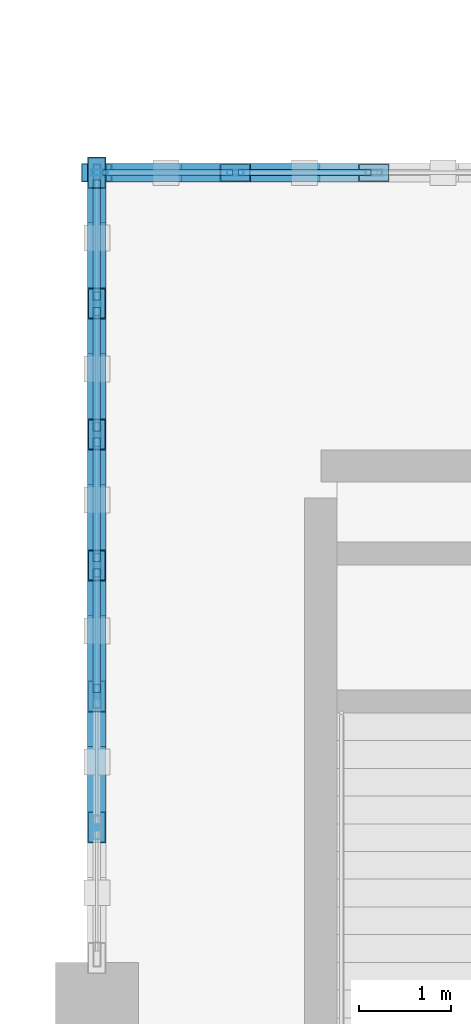
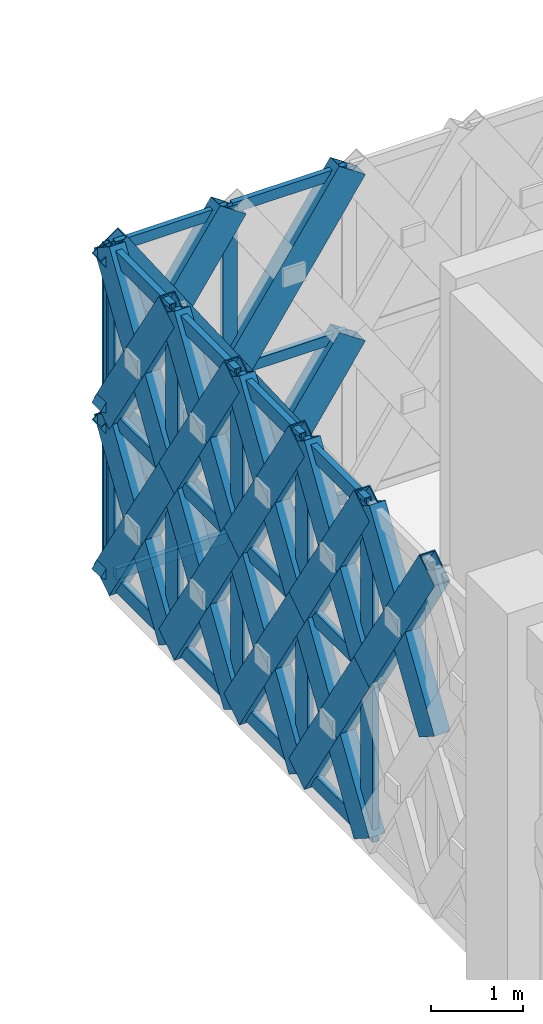
# One storey, part 71 of 166: 61 members, 2 elements without a shape of their own.
"""IFC4 building model written with IfcOpenShell, lengths in metres."""

from ifc_helpers import new_model, si_unit, direction, frame, origin, origin_2d, place, context, subcontext, project, spatial, hollow_rectangle, extrude, material, material_profile, profile_set, type_object, element, aggregate, save


model = new_model("IFC4")

# Units and contexts
model_context = context("Model", 3, precision=1e-05, world=origin(), true_north=direction((0.0, 1.0)))
body_context = subcontext(model_context, "Body", "Model", "MODEL_VIEW")
ifc_project = project(units=[si_unit("LENGTHUNIT", "METRE"), si_unit("AREAUNIT", "SQUARE_METRE"), si_unit("VOLUMEUNIT", "CUBIC_METRE"), si_unit("PLANEANGLEUNIT", "RADIAN"), si_unit("MASSUNIT", "GRAM", prefix="KILO")], contexts=[model_context])

# Site, building, storey
site_placement = place(None, origin())
site = spatial("IfcSite", under=ifc_project, at=site_placement, CompositionType="ELEMENT")
building_placement = place(site_placement, origin())
building = spatial("IfcBuilding", under=site, at=building_placement, Name="Haizhuo Lancet Aquarium", CompositionType="ELEMENT")
storey_placement = place(building_placement, frame((0.0, 0.0, 5.39990234375)))
storey = spatial("IfcBuildingStorey", under=building, at=storey_placement, Name="L01", CompositionType="ELEMENT", Elevation=5.39990234375)

# Curtain wall, members
ifc_material_1 = material(Name="Aluminium 6063-T6", Category="aluminium")
curtain_wall_type_1 = type_object("IfcCurtainWallType", Name="CWD-9000x4420", PredefinedType="NOTDEFINED", material=ifc_material_1)
curtain_wall_1_placement = place(storey_placement, origin())
curtain_wall_1 = element("IfcCurtainWall", 1, at=curtain_wall_1_placement, inside=storey, type_object=curtain_wall_type_1, Name="L01 curtain wall CW-V5-L01-130", PredefinedType="NOTDEFINED")
ifc_material_profile_1 = material_profile(ifc_material_1, hollow_rectangle(XDim=0.06494140625, YDim=0.179931640625, WallThickness=0.00390625, at=origin_2d()), Name="ALU-M 65x180x4")
ifc_profile_set_1 = profile_set([ifc_material_profile_1], Name="Aluminium 6063-T6")
member_type_1 = type_object("IfcMemberType", Name="CW-MUL-1", PredefinedType="MULLION", material=ifc_profile_set_1)
member_1_placement = place(storey_placement, frame((-26.968017578125, 54.0, 0.0), z_axis=(0.0, 0.0, 1.0), x_axis=(0.0, 1.0, 0.0)))
member_1 = element("IfcMember", 2, at=member_1_placement, type_object=member_type_1, Name="CWD-90x44 mullion 1", PredefinedType="MULLION", context=body_context, shape_type="SweptSolid", body=[
    extrude(hollow_rectangle(XDim=0.06494140625, YDim=0.179931640625, WallThickness=0.00390625, at=origin_2d()), origin(), (0.0, 0.0, 1.0), 4.425048828125),
])
member_2_placement = place(storey_placement, frame((-25.5, 54.0, 0.0), z_axis=(0.0, 0.0, 1.0), x_axis=(0.0, 1.0, 0.0)))
member_2 = element("IfcMember", 3, at=member_2_placement, type_object=member_type_1, Name="CWD-90x44 mullion 2", PredefinedType="MULLION", context=body_context, shape_type="SweptSolid", body=[
    extrude(hollow_rectangle(XDim=0.06494140625, YDim=0.179931640625, WallThickness=0.00390625, at=origin_2d()), origin(), (0.0, 0.0, 1.0), 4.425048828125),
])

curtain_wall_type_2 = type_object("IfcCurtainWallType", Name="CWD-8510x4420", PredefinedType="NOTDEFINED", material=ifc_material_1)
curtain_wall_2_placement = place(storey_placement, origin())
curtain_wall_2 = element("IfcCurtainWall", 4, at=curtain_wall_2_placement, inside=storey, type_object=curtain_wall_type_2, Name="L01 curtain wall CW-V5-L01-129", PredefinedType="NOTDEFINED")
ifc_material_profile_2 = material_profile(ifc_material_1, hollow_rectangle(XDim=0.080078125, YDim=0.260009765625, WallThickness=0.0048828125, at=origin_2d()), Name="ALU-M 80x260x5")
ifc_profile_set_2 = profile_set([ifc_material_profile_2], Name="Aluminium 6063-T6")
member_type_2 = type_object("IfcMemberType", Name="CW-MUL-3", PredefinedType="MULLION", material=ifc_profile_set_2)
member_3_placement = place(storey_placement, frame((-27.0, 48.330078125, 0.0), z_axis=(0.0, 0.0, 1.0), x_axis=(-1.0, 0.0, 0.0)))
member_3 = element("IfcMember", 5, at=member_3_placement, type_object=member_type_2, Name="CWD-85x44 mullion 3", PredefinedType="MULLION", context=body_context, shape_type="SweptSolid", body=[
    extrude(hollow_rectangle(XDim=0.080078125, YDim=0.260009765625, WallThickness=0.0048828125, at=origin_2d()), origin(), (0.0, 0.0, 1.0), 4.425048828125),
])
member_4_placement = place(storey_placement, frame((-27.0, 49.748046875, 0.0), z_axis=(0.0, 0.0, 1.0), x_axis=(-1.0, 0.0, 0.0)))
member_4 = element("IfcMember", 6, at=member_4_placement, type_object=member_type_2, Name="CWD-85x44 mullion 4", PredefinedType="MULLION", context=body_context, shape_type="SweptSolid", body=[
    extrude(hollow_rectangle(XDim=0.080078125, YDim=0.260009765625, WallThickness=0.0048828125, at=origin_2d()), origin(), (0.0, 0.0, 1.0), 4.425048828125),
])
member_5_placement = place(storey_placement, frame((-27.0, 51.1650390625, 0.0), z_axis=(0.0, 0.0, 1.0), x_axis=(-1.0, 0.0, 0.0)))
member_5 = element("IfcMember", 7, at=member_5_placement, type_object=member_type_2, Name="CWD-85x44 mullion 5", PredefinedType="MULLION", context=body_context, shape_type="SweptSolid", body=[
    extrude(hollow_rectangle(XDim=0.080078125, YDim=0.260009765625, WallThickness=0.0048828125, at=origin_2d()), origin(), (0.0, 0.0, 1.0), 4.425048828125),
])
member_6_placement = place(storey_placement, frame((-27.0, 52.58203125, 0.0), z_axis=(0.0, 0.0, 1.0), x_axis=(-1.0, 0.0, 0.0)))
member_6 = element("IfcMember", 8, at=member_6_placement, type_object=member_type_2, Name="CWD-85x44 mullion 6", PredefinedType="MULLION", context=body_context, shape_type="SweptSolid", body=[
    extrude(hollow_rectangle(XDim=0.080078125, YDim=0.260009765625, WallThickness=0.0048828125, at=origin_2d()), origin(), (0.0, 0.0, 1.0), 4.425048828125),
])
member_7_placement = place(storey_placement, frame((-27.0, 53.9599609375, 0.0), z_axis=(0.0, 0.0, 1.0), x_axis=(-1.0, 0.0, 0.0)))
member_7 = element("IfcMember", 9, at=member_7_placement, type_object=member_type_2, Name="CWD-85x44 mullion 7", PredefinedType="MULLION", context=body_context, shape_type="SweptSolid", body=[
    extrude(hollow_rectangle(XDim=0.080078125, YDim=0.260009765625, WallThickness=0.0048828125, at=origin_2d()), origin(), (0.0, 0.0, 1.0), 4.425048828125),
])

# Member
ifc_material_profile_3 = material_profile(ifc_material_1, hollow_rectangle(XDim=0.06494140625, YDim=0.139892578125, WallThickness=0.00390625, at=origin_2d()), Name="ALU-T 65x140x4")
ifc_profile_set_3 = profile_set([ifc_material_profile_3], Name="Aluminium 6063-T6")
member_type_3 = type_object("IfcMemberType", Name="CW-TRN-1", PredefinedType="NOTDEFINED", material=ifc_profile_set_3)
member_8_placement = place(storey_placement, frame((-26.93505859375, 54.0, 0.033203125), z_axis=(1.0, 0.0, 0.0), x_axis=(0.0, 1.0, 0.0)))
member_8 = element("IfcMember", 10, at=member_8_placement, type_object=member_type_3, Name="CWD-90x44 transom 1.1", ObjectType="TRANSOM", PredefinedType="USERDEFINED", context=body_context, shape_type="SweptSolid", body=[
    extrude(hollow_rectangle(XDim=0.06494140625, YDim=0.139892578125, WallThickness=0.00390625, at=origin_2d()), origin(), (0.0, 0.0, 1.0), 1.403076171875),
])

member_9_placement = place(storey_placement, frame((-26.93505859375, 54.0, 2.212158203125), z_axis=(1.0, 0.0, 0.0), x_axis=(0.0, 1.0, 0.0)))
member_9 = element("IfcMember", 11, at=member_9_placement, type_object=member_type_3, Name="CWD-90x44 transom 1.2", ObjectType="TRANSOM", PredefinedType="USERDEFINED", context=body_context, shape_type="SweptSolid", body=[
    extrude(hollow_rectangle(XDim=0.06494140625, YDim=0.139892578125, WallThickness=0.00390625, at=origin_2d()), origin(), (0.0, 0.0, 1.0), 1.403076171875),
])

member_10_placement = place(storey_placement, frame((-26.93505859375, 54.0, 4.39208984375), z_axis=(1.0, 0.0, 0.0), x_axis=(0.0, 1.0, 0.0)))
member_10 = element("IfcMember", 12, at=member_10_placement, type_object=member_type_3, Name="CWD-90x44 transom 1.3", ObjectType="TRANSOM", PredefinedType="USERDEFINED", context=body_context, shape_type="SweptSolid", body=[
    extrude(hollow_rectangle(XDim=0.06494140625, YDim=0.139892578125, WallThickness=0.00390625, at=origin_2d()), origin(), (0.0, 0.0, 1.0), 1.403076171875),
])

member_11_placement = place(storey_placement, frame((-25.468017578125, 54.0, 0.033203125), z_axis=(1.0, 0.0, 0.0), x_axis=(0.0, 1.0, 0.0)))
member_11 = element("IfcMember", 13, at=member_11_placement, type_object=member_type_3, Name="CWD-90x44 transom 2.1", ObjectType="TRANSOM", PredefinedType="USERDEFINED", context=body_context, shape_type="SweptSolid", body=[
    extrude(hollow_rectangle(XDim=0.06494140625, YDim=0.139892578125, WallThickness=0.00390625, at=origin_2d()), origin(), (0.0, 0.0, 1.0), 1.43603515625),
])

member_12_placement = place(storey_placement, frame((-25.468017578125, 54.0, 2.212158203125), z_axis=(1.0, 0.0, 0.0), x_axis=(0.0, 1.0, 0.0)))
member_12 = element("IfcMember", 14, at=member_12_placement, type_object=member_type_3, Name="CWD-90x44 transom 2.2", ObjectType="TRANSOM", PredefinedType="USERDEFINED", context=body_context, shape_type="SweptSolid", body=[
    extrude(hollow_rectangle(XDim=0.06494140625, YDim=0.139892578125, WallThickness=0.00390625, at=origin_2d()), origin(), (0.0, 0.0, 1.0), 1.43603515625),
])

member_13_placement = place(storey_placement, frame((-25.468017578125, 54.0, 4.39208984375), z_axis=(1.0, 0.0, 0.0), x_axis=(0.0, 1.0, 0.0)))
member_13 = element("IfcMember", 15, at=member_13_placement, type_object=member_type_3, Name="CWD-90x44 transom 2.3", ObjectType="TRANSOM", PredefinedType="USERDEFINED", context=body_context, shape_type="SweptSolid", body=[
    extrude(hollow_rectangle(XDim=0.06494140625, YDim=0.139892578125, WallThickness=0.00390625, at=origin_2d()), origin(), (0.0, 0.0, 1.0), 1.43603515625),
])

aggregate(curtain_wall_1, [member_1, member_2, member_8, member_9, member_10, member_11, member_12, member_13])

ifc_material_profile_4 = material_profile(ifc_material_1, hollow_rectangle(XDim=0.080078125, YDim=0.18994140625, WallThickness=0.0048828125, at=origin_2d()), Name="ALU-T 80x190x5")
ifc_profile_set_4 = profile_set([ifc_material_profile_4], Name="Aluminium 6063-T6")
member_type_4 = type_object("IfcMemberType", Name="CW-TRN-3", PredefinedType="NOTDEFINED", material=ifc_profile_set_4)
member_14_placement = place(storey_placement, frame((-27.0, 48.3701171875, 0.0400390625), z_axis=(0.0, 1.0, 0.0), x_axis=(-1.0, 0.0, 0.0)))
member_14 = element("IfcMember", 16, at=member_14_placement, type_object=member_type_4, Name="CWD-85x44 transom 3.1", ObjectType="TRANSOM", PredefinedType="USERDEFINED", context=body_context, shape_type="SweptSolid", body=[
    extrude(hollow_rectangle(XDim=0.080078125, YDim=0.18994140625, WallThickness=0.0048828125, at=origin_2d()), origin(), (0.0, 0.0, 1.0), 1.3369140625),
])

member_15_placement = place(storey_placement, frame((-27.0, 48.3701171875, 2.212158203125), z_axis=(0.0, 1.0, 0.0), x_axis=(-1.0, 0.0, 0.0)))
member_15 = element("IfcMember", 17, at=member_15_placement, type_object=member_type_4, Name="CWD-85x44 transom 3.2", ObjectType="TRANSOM", PredefinedType="USERDEFINED", context=body_context, shape_type="SweptSolid", body=[
    extrude(hollow_rectangle(XDim=0.080078125, YDim=0.18994140625, WallThickness=0.0048828125, at=origin_2d()), origin(), (0.0, 0.0, 1.0), 1.3369140625),
])

member_16_placement = place(storey_placement, frame((-27.0, 48.3701171875, 4.385009765625), z_axis=(0.0, 1.0, 0.0), x_axis=(-1.0, 0.0, 0.0)))
member_16 = element("IfcMember", 18, at=member_16_placement, type_object=member_type_4, Name="CWD-85x44 transom 3.3", ObjectType="TRANSOM", PredefinedType="USERDEFINED", context=body_context, shape_type="SweptSolid", body=[
    extrude(hollow_rectangle(XDim=0.080078125, YDim=0.18994140625, WallThickness=0.0048828125, at=origin_2d()), origin(), (0.0, 0.0, 1.0), 1.3369140625),
])

member_17_placement = place(storey_placement, frame((-27.0, 49.7880859375, 0.0400390625), z_axis=(0.0, 1.0, 0.0), x_axis=(-1.0, 0.0, 0.0)))
member_17 = element("IfcMember", 19, at=member_17_placement, type_object=member_type_4, Name="CWD-85x44 transom 4.1", ObjectType="TRANSOM", PredefinedType="USERDEFINED", context=body_context, shape_type="SweptSolid", body=[
    extrude(hollow_rectangle(XDim=0.080078125, YDim=0.18994140625, WallThickness=0.0048828125, at=origin_2d()), origin(), (0.0, 0.0, 1.0), 1.3369140625),
])

member_18_placement = place(storey_placement, frame((-27.0, 49.7880859375, 2.212158203125), z_axis=(0.0, 1.0, 0.0), x_axis=(-1.0, 0.0, 0.0)))
member_18 = element("IfcMember", 20, at=member_18_placement, type_object=member_type_4, Name="CWD-85x44 transom 4.2", ObjectType="TRANSOM", PredefinedType="USERDEFINED", context=body_context, shape_type="SweptSolid", body=[
    extrude(hollow_rectangle(XDim=0.080078125, YDim=0.18994140625, WallThickness=0.0048828125, at=origin_2d()), origin(), (0.0, 0.0, 1.0), 1.3369140625),
])

member_19_placement = place(storey_placement, frame((-27.0, 49.7880859375, 4.385009765625), z_axis=(0.0, 1.0, 0.0), x_axis=(-1.0, 0.0, 0.0)))
member_19 = element("IfcMember", 21, at=member_19_placement, type_object=member_type_4, Name="CWD-85x44 transom 4.3", ObjectType="TRANSOM", PredefinedType="USERDEFINED", context=body_context, shape_type="SweptSolid", body=[
    extrude(hollow_rectangle(XDim=0.080078125, YDim=0.18994140625, WallThickness=0.0048828125, at=origin_2d()), origin(), (0.0, 0.0, 1.0), 1.3369140625),
])

member_20_placement = place(storey_placement, frame((-27.0, 51.205078125, 0.0400390625), z_axis=(0.0, 1.0, 0.0), x_axis=(-1.0, 0.0, 0.0)))
member_20 = element("IfcMember", 22, at=member_20_placement, type_object=member_type_4, Name="CWD-85x44 transom 5.1", ObjectType="TRANSOM", PredefinedType="USERDEFINED", context=body_context, shape_type="SweptSolid", body=[
    extrude(hollow_rectangle(XDim=0.080078125, YDim=0.18994140625, WallThickness=0.0048828125, at=origin_2d()), origin(), (0.0, 0.0, 1.0), 1.3369140625),
])

member_21_placement = place(storey_placement, frame((-27.0, 51.205078125, 2.212158203125), z_axis=(0.0, 1.0, 0.0), x_axis=(-1.0, 0.0, 0.0)))
member_21 = element("IfcMember", 23, at=member_21_placement, type_object=member_type_4, Name="CWD-85x44 transom 5.2", ObjectType="TRANSOM", PredefinedType="USERDEFINED", context=body_context, shape_type="SweptSolid", body=[
    extrude(hollow_rectangle(XDim=0.080078125, YDim=0.18994140625, WallThickness=0.0048828125, at=origin_2d()), origin(), (0.0, 0.0, 1.0), 1.3369140625),
])

member_22_placement = place(storey_placement, frame((-27.0, 51.205078125, 4.385009765625), z_axis=(0.0, 1.0, 0.0), x_axis=(-1.0, 0.0, 0.0)))
member_22 = element("IfcMember", 24, at=member_22_placement, type_object=member_type_4, Name="CWD-85x44 transom 5.3", ObjectType="TRANSOM", PredefinedType="USERDEFINED", context=body_context, shape_type="SweptSolid", body=[
    extrude(hollow_rectangle(XDim=0.080078125, YDim=0.18994140625, WallThickness=0.0048828125, at=origin_2d()), origin(), (0.0, 0.0, 1.0), 1.3369140625),
])

member_23_placement = place(storey_placement, frame((-27.0, 52.623046875, 0.0400390625), z_axis=(0.0, 1.0, 0.0), x_axis=(-1.0, 0.0, 0.0)))
member_23 = element("IfcMember", 25, at=member_23_placement, type_object=member_type_4, Name="CWD-85x44 transom 6.1", ObjectType="TRANSOM", PredefinedType="USERDEFINED", context=body_context, shape_type="SweptSolid", body=[
    extrude(hollow_rectangle(XDim=0.080078125, YDim=0.18994140625, WallThickness=0.0048828125, at=origin_2d()), origin(), (0.0, 0.0, 1.0), 1.296875),
])

member_24_placement = place(storey_placement, frame((-27.0, 52.623046875, 2.212158203125), z_axis=(0.0, 1.0, 0.0), x_axis=(-1.0, 0.0, 0.0)))
member_24 = element("IfcMember", 26, at=member_24_placement, type_object=member_type_4, Name="CWD-85x44 transom 6.2", ObjectType="TRANSOM", PredefinedType="USERDEFINED", context=body_context, shape_type="SweptSolid", body=[
    extrude(hollow_rectangle(XDim=0.080078125, YDim=0.18994140625, WallThickness=0.0048828125, at=origin_2d()), origin(), (0.0, 0.0, 1.0), 1.296875),
])

member_25_placement = place(storey_placement, frame((-27.0, 52.623046875, 4.385009765625), z_axis=(0.0, 1.0, 0.0), x_axis=(-1.0, 0.0, 0.0)))
member_25 = element("IfcMember", 27, at=member_25_placement, type_object=member_type_4, Name="CWD-85x44 transom 6.3", ObjectType="TRANSOM", PredefinedType="USERDEFINED", context=body_context, shape_type="SweptSolid", body=[
    extrude(hollow_rectangle(XDim=0.080078125, YDim=0.18994140625, WallThickness=0.0048828125, at=origin_2d()), origin(), (0.0, 0.0, 1.0), 1.296875),
])

aggregate(curtain_wall_2, [member_3, member_4, member_5, member_6, member_7, member_14, member_15, member_16, member_17, member_18, member_19, member_20, member_21, member_22, member_23, member_24, member_25])

# Members
ifc_material_2 = material(Name="Steel S355", Category="steel")
ifc_material_profile_5 = material_profile(ifc_material_2, hollow_rectangle(XDim=0.199951171875, YDim=0.39990234375, WallThickness=0.011962890625, at=origin_2d()), Name="RHS 200x400x12")
ifc_profile_set_5 = profile_set([ifc_material_profile_5], Name="Steel S355")
member_type_5 = type_object("IfcMemberType", Name="MEM-LB-RHS200x400", PredefinedType="BRACE", material=ifc_profile_set_5)
member_26_placement = place(storey_placement, frame((-27.0, 46.912109375, 2.212158203125), z_axis=(0.0, 0.539517548152, 0.84197435545), x_axis=(-1.0, 0.0, 0.0)))
element("IfcMember", 28, at=member_26_placement, inside=storey, type_object=member_type_5, Name="Gothic lancet continuous diagonal brace CW-V5-L01-129 4A", PredefinedType="BRACE", context=body_context, shape_type="SweptSolid", body=[
    extrude(hollow_rectangle(XDim=0.199951171875, YDim=0.39990234375, WallThickness=0.011962890625, at=origin_2d()), origin(), (0.0, 0.0, 1.0), 2.628173828125),
])
member_27_placement = place(storey_placement, frame((-27.0, 48.330078125, 2.212158203125), z_axis=(0.0, -0.539686378835, 0.841866148803), x_axis=(1.0, 0.0, 0.0)))
element("IfcMember", 29, at=member_27_placement, inside=storey, type_object=member_type_5, Name="Gothic lancet split diagonal brace CW-V5-L01-129 4B1", PredefinedType="BRACE", context=body_context, shape_type="SweptSolid", body=[
    extrude(hollow_rectangle(XDim=0.199951171875, YDim=0.39990234375, WallThickness=0.011962890625, at=origin_2d()), origin(), (0.0, 0.0, 1.0), 1.313720703125),
])
member_28_placement = place(storey_placement, frame((-27.0, 47.62109375, 3.318115234375), z_axis=(0.0, -0.5393488014, 0.842082460587), x_axis=(1.0, 0.0, 0.0)))
element("IfcMember", 30, at=member_28_placement, inside=storey, type_object=member_type_5, Name="Gothic lancet split diagonal brace CW-V5-L01-129 4B2", PredefinedType="BRACE", context=body_context, shape_type="SweptSolid", body=[
    extrude(hollow_rectangle(XDim=0.199951171875, YDim=0.39990234375, WallThickness=0.011962890625, at=origin_2d()), origin(), (0.0, 0.0, 1.0), 1.314453125),
])
member_29_placement = place(storey_placement, frame((-27.0, 48.330078125, 0.0), z_axis=(0.0, 0.539644163294, 0.841893209987), x_axis=(-1.0, 0.0, 0.0)))
element("IfcMember", 31, at=member_29_placement, inside=storey, type_object=member_type_5, Name="Gothic lancet continuous diagonal brace CW-V5-L01-129 5A", PredefinedType="BRACE", context=body_context, shape_type="SweptSolid", body=[
    extrude(hollow_rectangle(XDim=0.199951171875, YDim=0.39990234375, WallThickness=0.011962890625, at=origin_2d()), origin(), (0.0, 0.0, 1.0), 2.627685546875),
])
member_30_placement = place(storey_placement, frame((-27.0, 49.748046875, 0.0), z_axis=(0.0, -0.539601953, 0.841920264822), x_axis=(1.0, 0.0, 0.0)))
element("IfcMember", 32, at=member_30_placement, inside=storey, type_object=member_type_5, Name="Gothic lancet split diagonal brace CW-V5-L01-129 5B1", PredefinedType="BRACE", context=body_context, shape_type="SweptSolid", body=[
    extrude(hollow_rectangle(XDim=0.199951171875, YDim=0.39990234375, WallThickness=0.011962890625, at=origin_2d()), origin(), (0.0, 0.0, 1.0), 1.31396484375),
])
member_31_placement = place(storey_placement, frame((-27.0, 49.0390625, 1.106201171875), z_axis=(0.0, -0.539686378835, 0.841866148803), x_axis=(1.0, 0.0, 0.0)))
element("IfcMember", 33, at=member_31_placement, inside=storey, type_object=member_type_5, Name="Gothic lancet split diagonal brace CW-V5-L01-129 5B2", PredefinedType="BRACE", context=body_context, shape_type="SweptSolid", body=[
    extrude(hollow_rectangle(XDim=0.199951171875, YDim=0.39990234375, WallThickness=0.011962890625, at=origin_2d()), origin(), (0.0, 0.0, 1.0), 1.313720703125),
])
member_32_placement = place(storey_placement, frame((-27.0, 48.330078125, 2.212158203125), z_axis=(0.0, 0.539517548152, 0.84197435545), x_axis=(-1.0, 0.0, 0.0)))
element("IfcMember", 34, at=member_32_placement, inside=storey, type_object=member_type_5, Name="Gothic lancet continuous diagonal brace CW-V5-L01-129 6A", PredefinedType="BRACE", context=body_context, shape_type="SweptSolid", body=[
    extrude(hollow_rectangle(XDim=0.199951171875, YDim=0.39990234375, WallThickness=0.011962890625, at=origin_2d()), origin(), (0.0, 0.0, 1.0), 2.628173828125),
])
member_33_placement = place(storey_placement, frame((-27.0, 49.748046875, 2.212158203125), z_axis=(0.0, -0.539686378835, 0.841866148803), x_axis=(1.0, 0.0, 0.0)))
element("IfcMember", 35, at=member_33_placement, inside=storey, type_object=member_type_5, Name="Gothic lancet split diagonal brace CW-V5-L01-129 6B1", PredefinedType="BRACE", context=body_context, shape_type="SweptSolid", body=[
    extrude(hollow_rectangle(XDim=0.199951171875, YDim=0.39990234375, WallThickness=0.011962890625, at=origin_2d()), origin(), (0.0, 0.0, 1.0), 1.313720703125),
])
member_34_placement = place(storey_placement, frame((-27.0, 49.0390625, 3.318115234375), z_axis=(0.0, -0.5393488014, 0.842082460587), x_axis=(1.0, 0.0, 0.0)))
element("IfcMember", 36, at=member_34_placement, inside=storey, type_object=member_type_5, Name="Gothic lancet split diagonal brace CW-V5-L01-129 6B2", PredefinedType="BRACE", context=body_context, shape_type="SweptSolid", body=[
    extrude(hollow_rectangle(XDim=0.199951171875, YDim=0.39990234375, WallThickness=0.011962890625, at=origin_2d()), origin(), (0.0, 0.0, 1.0), 1.314453125),
])
member_35_placement = place(storey_placement, frame((-27.0, 49.748046875, 0.0), z_axis=(0.0, 0.539380660315, 0.842062054292), x_axis=(-1.0, 0.0, 0.0)))
element("IfcMember", 37, at=member_35_placement, inside=storey, type_object=member_type_5, Name="Gothic lancet continuous diagonal brace CW-V5-L01-129 7A", PredefinedType="BRACE", context=body_context, shape_type="SweptSolid", body=[
    extrude(hollow_rectangle(XDim=0.199951171875, YDim=0.39990234375, WallThickness=0.011962890625, at=origin_2d()), origin(), (0.0, 0.0, 1.0), 2.626953125),
])
member_36_placement = place(storey_placement, frame((-27.0, 51.1650390625, 0.0), z_axis=(0.0, -0.539601953, 0.841920264822), x_axis=(1.0, 0.0, 0.0)))
element("IfcMember", 38, at=member_36_placement, inside=storey, type_object=member_type_5, Name="Gothic lancet split diagonal brace CW-V5-L01-129 7B1", PredefinedType="BRACE", context=body_context, shape_type="SweptSolid", body=[
    extrude(hollow_rectangle(XDim=0.199951171875, YDim=0.39990234375, WallThickness=0.011962890625, at=origin_2d()), origin(), (0.0, 0.0, 1.0), 1.31396484375),
])
member_37_placement = place(storey_placement, frame((-27.0, 50.4560546875, 1.106201171875), z_axis=(0.0, -0.539159206931, 0.84220386462), x_axis=(1.0, 0.0, 0.0)))
element("IfcMember", 39, at=member_37_placement, inside=storey, type_object=member_type_5, Name="Gothic lancet split diagonal brace CW-V5-L01-129 7B2", PredefinedType="BRACE", context=body_context, shape_type="SweptSolid", body=[
    extrude(hollow_rectangle(XDim=0.199951171875, YDim=0.39990234375, WallThickness=0.011962890625, at=origin_2d()), origin(), (0.0, 0.0, 1.0), 1.313232421875),
])
member_38_placement = place(storey_placement, frame((-27.0, 49.748046875, 2.212158203125), z_axis=(0.0, 0.53925405625, 0.842143136776), x_axis=(-1.0, 0.0, 0.0)))
element("IfcMember", 40, at=member_38_placement, inside=storey, type_object=member_type_5, Name="Gothic lancet continuous diagonal brace CW-V5-L01-129 8A", PredefinedType="BRACE", context=body_context, shape_type="SweptSolid", body=[
    extrude(hollow_rectangle(XDim=0.199951171875, YDim=0.39990234375, WallThickness=0.011962890625, at=origin_2d()), origin(), (0.0, 0.0, 1.0), 2.627685546875),
])
member_39_placement = place(storey_placement, frame((-27.0, 51.1650390625, 2.212158203125), z_axis=(0.0, -0.539686378835, 0.841866148803), x_axis=(1.0, 0.0, 0.0)))
element("IfcMember", 41, at=member_39_placement, inside=storey, type_object=member_type_5, Name="Gothic lancet split diagonal brace CW-V5-L01-129 8B1", PredefinedType="BRACE", context=body_context, shape_type="SweptSolid", body=[
    extrude(hollow_rectangle(XDim=0.199951171875, YDim=0.39990234375, WallThickness=0.011962890625, at=origin_2d()), origin(), (0.0, 0.0, 1.0), 1.313720703125),
])
member_40_placement = place(storey_placement, frame((-27.0, 50.4560546875, 3.318115234375), z_axis=(0.0, -0.53882168887, 0.842419840461), x_axis=(1.0, 0.0, 0.0)))
element("IfcMember", 42, at=member_40_placement, inside=storey, type_object=member_type_5, Name="Gothic lancet split diagonal brace CW-V5-L01-129 8B2", PredefinedType="BRACE", context=body_context, shape_type="SweptSolid", body=[
    extrude(hollow_rectangle(XDim=0.199951171875, YDim=0.39990234375, WallThickness=0.011962890625, at=origin_2d()), origin(), (0.0, 0.0, 1.0), 1.31396484375),
])
member_41_placement = place(storey_placement, frame((-27.0, 51.1650390625, 0.0), z_axis=(0.0, 0.539644163294, 0.841893209987), x_axis=(-1.0, 0.0, 0.0)))
element("IfcMember", 43, at=member_41_placement, inside=storey, type_object=member_type_5, Name="Gothic lancet continuous diagonal brace CW-V5-L01-129 9A", PredefinedType="BRACE", context=body_context, shape_type="SweptSolid", body=[
    extrude(hollow_rectangle(XDim=0.199951171875, YDim=0.39990234375, WallThickness=0.011962890625, at=origin_2d()), origin(), (0.0, 0.0, 1.0), 2.627685546875),
])
member_42_placement = place(storey_placement, frame((-27.0, 52.5830078125, 0.0), z_axis=(0.0, -0.539601953, 0.841920264822), x_axis=(1.0, 0.0, 0.0)))
element("IfcMember", 44, at=member_42_placement, inside=storey, type_object=member_type_5, Name="Gothic lancet split diagonal brace CW-V5-L01-129 9B1", PredefinedType="BRACE", context=body_context, shape_type="SweptSolid", body=[
    extrude(hollow_rectangle(XDim=0.199951171875, YDim=0.39990234375, WallThickness=0.011962890625, at=origin_2d()), origin(), (0.0, 0.0, 1.0), 1.31396484375),
])
member_43_placement = place(storey_placement, frame((-27.0, 51.8740234375, 1.106201171875), z_axis=(0.0, -0.539686378835, 0.841866148803), x_axis=(1.0, 0.0, 0.0)))
element("IfcMember", 45, at=member_43_placement, inside=storey, type_object=member_type_5, Name="Gothic lancet split diagonal brace CW-V5-L01-129 9B2", PredefinedType="BRACE", context=body_context, shape_type="SweptSolid", body=[
    extrude(hollow_rectangle(XDim=0.199951171875, YDim=0.39990234375, WallThickness=0.011962890625, at=origin_2d()), origin(), (0.0, 0.0, 1.0), 1.313720703125),
])
member_44_placement = place(storey_placement, frame((-27.0, 51.1650390625, 2.212158203125), z_axis=(0.0, 0.539517548152, 0.84197435545), x_axis=(-1.0, 0.0, 0.0)))
element("IfcMember", 46, at=member_44_placement, inside=storey, type_object=member_type_5, Name="Gothic lancet continuous diagonal brace CW-V5-L01-129 10A", PredefinedType="BRACE", context=body_context, shape_type="SweptSolid", body=[
    extrude(hollow_rectangle(XDim=0.199951171875, YDim=0.39990234375, WallThickness=0.011962890625, at=origin_2d()), origin(), (0.0, 0.0, 1.0), 2.628173828125),
])
member_45_placement = place(storey_placement, frame((-27.0, 52.5830078125, 2.212158203125), z_axis=(0.0, -0.539686378835, 0.841866148803), x_axis=(1.0, 0.0, 0.0)))
element("IfcMember", 47, at=member_45_placement, inside=storey, type_object=member_type_5, Name="Gothic lancet split diagonal brace CW-V5-L01-129 10B1", PredefinedType="BRACE", context=body_context, shape_type="SweptSolid", body=[
    extrude(hollow_rectangle(XDim=0.199951171875, YDim=0.39990234375, WallThickness=0.011962890625, at=origin_2d()), origin(), (0.0, 0.0, 1.0), 1.313720703125),
])
member_46_placement = place(storey_placement, frame((-27.0, 51.8740234375, 3.318115234375), z_axis=(0.0, -0.5393488014, 0.842082460587), x_axis=(1.0, 0.0, 0.0)))
element("IfcMember", 48, at=member_46_placement, inside=storey, type_object=member_type_5, Name="Gothic lancet split diagonal brace CW-V5-L01-129 10B2", PredefinedType="BRACE", context=body_context, shape_type="SweptSolid", body=[
    extrude(hollow_rectangle(XDim=0.199951171875, YDim=0.39990234375, WallThickness=0.011962890625, at=origin_2d()), origin(), (0.0, 0.0, 1.0), 1.314453125),
])
member_47_placement = place(storey_placement, frame((-27.0, 52.5830078125, 0.0), z_axis=(0.0, 0.539380660315, 0.842062054292), x_axis=(-1.0, 0.0, 0.0)))
element("IfcMember", 49, at=member_47_placement, inside=storey, type_object=member_type_5, Name="Gothic lancet continuous diagonal brace CW-V5-L01-129 11A", PredefinedType="BRACE", context=body_context, shape_type="SweptSolid", body=[
    extrude(hollow_rectangle(XDim=0.199951171875, YDim=0.39990234375, WallThickness=0.011962890625, at=origin_2d()), origin(), (0.0, 0.0, 1.0), 2.626953125),
])
member_48_placement = place(storey_placement, frame((-27.0, 54.0, 0.0), z_axis=(0.0, -0.539601953, 0.841920264822), x_axis=(1.0, 0.0, 0.0)))
element("IfcMember", 50, at=member_48_placement, inside=storey, type_object=member_type_5, Name="Gothic lancet split diagonal brace CW-V5-L01-129 11B1", PredefinedType="BRACE", context=body_context, shape_type="SweptSolid", body=[
    extrude(hollow_rectangle(XDim=0.199951171875, YDim=0.39990234375, WallThickness=0.011962890625, at=origin_2d()), origin(), (0.0, 0.0, 1.0), 1.31396484375),
])
member_49_placement = place(storey_placement, frame((-27.0, 53.291015625, 1.106201171875), z_axis=(0.0, -0.539159206931, 0.84220386462), x_axis=(1.0, 0.0, 0.0)))
element("IfcMember", 51, at=member_49_placement, inside=storey, type_object=member_type_5, Name="Gothic lancet split diagonal brace CW-V5-L01-129 11B2", PredefinedType="BRACE", context=body_context, shape_type="SweptSolid", body=[
    extrude(hollow_rectangle(XDim=0.199951171875, YDim=0.39990234375, WallThickness=0.011962890625, at=origin_2d()), origin(), (0.0, 0.0, 1.0), 1.313232421875),
])
member_50_placement = place(storey_placement, frame((-27.0, 52.5830078125, 2.212158203125), z_axis=(0.0, 0.53925405625, 0.842143136776), x_axis=(-1.0, 0.0, 0.0)))
element("IfcMember", 52, at=member_50_placement, inside=storey, type_object=member_type_5, Name="Gothic lancet continuous diagonal brace CW-V5-L01-129 12A", PredefinedType="BRACE", context=body_context, shape_type="SweptSolid", body=[
    extrude(hollow_rectangle(XDim=0.199951171875, YDim=0.39990234375, WallThickness=0.011962890625, at=origin_2d()), origin(), (0.0, 0.0, 1.0), 2.627685546875),
])
member_51_placement = place(storey_placement, frame((-27.0, 54.0, 2.212158203125), z_axis=(0.0, -0.539686378835, 0.841866148803), x_axis=(1.0, 0.0, 0.0)))
element("IfcMember", 53, at=member_51_placement, inside=storey, type_object=member_type_5, Name="Gothic lancet split diagonal brace CW-V5-L01-129 12B1", PredefinedType="BRACE", context=body_context, shape_type="SweptSolid", body=[
    extrude(hollow_rectangle(XDim=0.199951171875, YDim=0.39990234375, WallThickness=0.011962890625, at=origin_2d()), origin(), (0.0, 0.0, 1.0), 1.313720703125),
])
member_52_placement = place(storey_placement, frame((-27.0, 53.291015625, 3.318115234375), z_axis=(0.0, -0.53882168887, 0.842419840461), x_axis=(1.0, 0.0, 0.0)))
element("IfcMember", 54, at=member_52_placement, inside=storey, type_object=member_type_5, Name="Gothic lancet split diagonal brace CW-V5-L01-129 12B2", PredefinedType="BRACE", context=body_context, shape_type="SweptSolid", body=[
    extrude(hollow_rectangle(XDim=0.199951171875, YDim=0.39990234375, WallThickness=0.011962890625, at=origin_2d()), origin(), (0.0, 0.0, 1.0), 1.31396484375),
])
member_53_placement = place(storey_placement, frame((-27.0, 54.0, 0.0), z_axis=(0.56121770031, 0.0, 0.82766822632), x_axis=(0.0, 1.0, 0.0)))
element("IfcMember", 55, at=member_53_placement, inside=storey, type_object=member_type_5, Name="Gothic lancet continuous diagonal brace CW-V5-L01-130 1A", PredefinedType="BRACE", context=body_context, shape_type="SweptSolid", body=[
    extrude(hollow_rectangle(XDim=0.199951171875, YDim=0.39990234375, WallThickness=0.011962890625, at=origin_2d()), origin(), (0.0, 0.0, 1.0), 2.6728515625),
])
member_54_placement = place(storey_placement, frame((-25.5, 54.0, 0.0), z_axis=(-0.561175273292, 0.0, 0.827696993257), x_axis=(0.0, -1.0, 0.0)))
element("IfcMember", 56, at=member_54_placement, inside=storey, type_object=member_type_5, Name="Gothic lancet split diagonal brace CW-V5-L01-130 1B1", PredefinedType="BRACE", context=body_context, shape_type="SweptSolid", body=[
    extrude(hollow_rectangle(XDim=0.199951171875, YDim=0.39990234375, WallThickness=0.011962890625, at=origin_2d()), origin(), (0.0, 0.0, 1.0), 1.33642578125),
])
member_55_placement = place(storey_placement, frame((-26.25, 54.0, 1.106201171875), z_axis=(-0.561260132269, 0.0, 0.827639452857), x_axis=(0.0, -1.0, 0.0)))
element("IfcMember", 57, at=member_55_placement, inside=storey, type_object=member_type_5, Name="Gothic lancet split diagonal brace CW-V5-L01-130 1B2", PredefinedType="BRACE", context=body_context, shape_type="SweptSolid", body=[
    extrude(hollow_rectangle(XDim=0.199951171875, YDim=0.39990234375, WallThickness=0.011962890625, at=origin_2d()), origin(), (0.0, 0.0, 1.0), 1.336181640625),
])
member_56_placement = place(storey_placement, frame((-27.0, 54.0, 2.212158203125), z_axis=(0.561090434075, 0.0, 0.827754507562), x_axis=(0.0, 1.0, 0.0)))
element("IfcMember", 58, at=member_56_placement, inside=storey, type_object=member_type_5, Name="Gothic lancet continuous diagonal brace CW-V5-L01-130 2A", PredefinedType="BRACE", context=body_context, shape_type="SweptSolid", body=[
    extrude(hollow_rectangle(XDim=0.199951171875, YDim=0.39990234375, WallThickness=0.011962890625, at=origin_2d()), origin(), (0.0, 0.0, 1.0), 2.67333984375),
])
member_57_placement = place(storey_placement, frame((-25.5, 54.0, 2.212158203125), z_axis=(-0.561260132269, 0.0, 0.827639452857), x_axis=(0.0, -1.0, 0.0)))
element("IfcMember", 59, at=member_57_placement, inside=storey, type_object=member_type_5, Name="Gothic lancet split diagonal brace CW-V5-L01-130 2B1", PredefinedType="BRACE", context=body_context, shape_type="SweptSolid", body=[
    extrude(hollow_rectangle(XDim=0.199951171875, YDim=0.39990234375, WallThickness=0.011962890625, at=origin_2d()), origin(), (0.0, 0.0, 1.0), 1.336181640625),
])
member_58_placement = place(storey_placement, frame((-26.25, 54.0, 3.318115234375), z_axis=(-0.560920814911, 0.0, 0.827869457946), x_axis=(0.0, -1.0, 0.0)))
element("IfcMember", 60, at=member_58_placement, inside=storey, type_object=member_type_5, Name="Gothic lancet split diagonal brace CW-V5-L01-130 2B2", PredefinedType="BRACE", context=body_context, shape_type="SweptSolid", body=[
    extrude(hollow_rectangle(XDim=0.199951171875, YDim=0.39990234375, WallThickness=0.011962890625, at=origin_2d()), origin(), (0.0, 0.0, 1.0), 1.337158203125),
])
member_59_placement = place(storey_placement, frame((-25.5, 54.0, 0.0), z_axis=(0.56121770031, 0.0, 0.82766822632), x_axis=(0.0, 1.0, 0.0)))
element("IfcMember", 61, at=member_59_placement, inside=storey, type_object=member_type_5, Name="Gothic lancet continuous diagonal brace CW-V5-L01-130 3A", PredefinedType="BRACE", context=body_context, shape_type="SweptSolid", body=[
    extrude(hollow_rectangle(XDim=0.199951171875, YDim=0.39990234375, WallThickness=0.011962890625, at=origin_2d()), origin(), (0.0, 0.0, 1.0), 2.6728515625),
])
member_60_placement = place(storey_placement, frame((-24.75, 54.0, 1.106201171875), z_axis=(-0.561260132269, 0.0, 0.827639452857), x_axis=(0.0, -1.0, 0.0)))
element("IfcMember", 62, at=member_60_placement, inside=storey, type_object=member_type_5, Name="Gothic lancet split diagonal brace CW-V5-L01-130 3B2", PredefinedType="BRACE", context=body_context, shape_type="SweptSolid", body=[
    extrude(hollow_rectangle(XDim=0.199951171875, YDim=0.39990234375, WallThickness=0.011962890625, at=origin_2d()), origin(), (0.0, 0.0, 1.0), 1.336181640625),
])
member_61_placement = place(storey_placement, frame((-25.5, 54.0, 2.212158203125), z_axis=(0.561090434075, 0.0, 0.827754507562), x_axis=(0.0, 1.0, 0.0)))
element("IfcMember", 63, at=member_61_placement, inside=storey, type_object=member_type_5, Name="Gothic lancet continuous diagonal brace CW-V5-L01-130 4A", PredefinedType="BRACE", context=body_context, shape_type="SweptSolid", body=[
    extrude(hollow_rectangle(XDim=0.199951171875, YDim=0.39990234375, WallThickness=0.011962890625, at=origin_2d()), origin(), (0.0, 0.0, 1.0), 2.67333984375),
])

save(model, "model.ifc")
